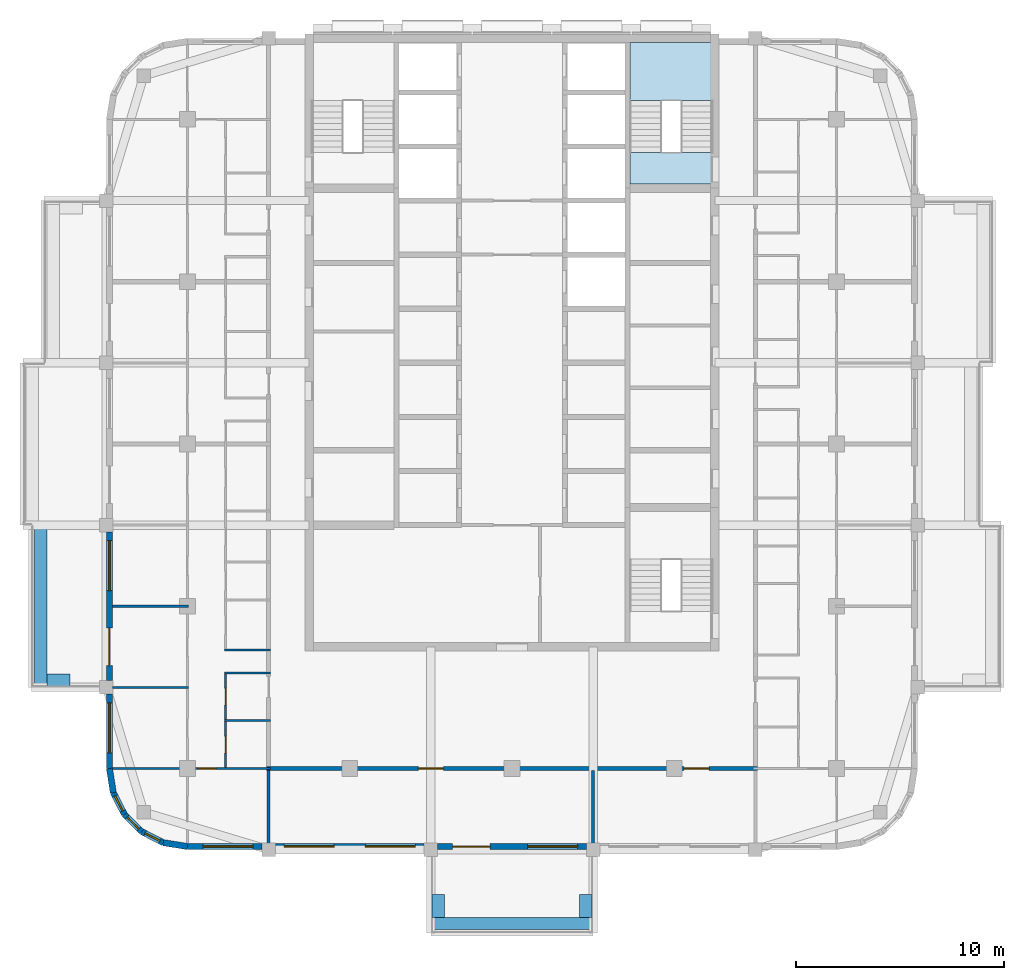
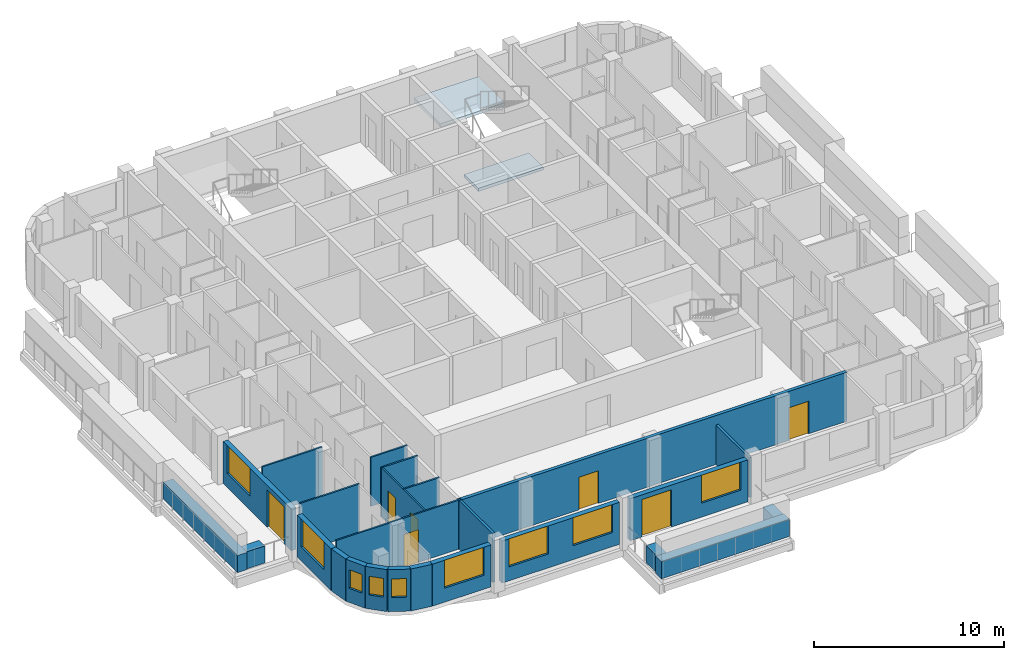
# One storey, part 2 of 13: 25 walls, 9 windows, 7 doors, 2 slabs, 16 openings, 1 element without a shape of its own.
"""IFC4 building model written with IfcOpenShell, lengths in metres."""

from ifc_helpers import new_model, si_unit, direction, frame, frame_2d, origin, place, context, subcontext, project, spatial, polyline, rectangle, outline, extrude, material, layer, layer_set, type_object, element, fill, aggregate, save


model = new_model("IFC4")

# Units and contexts
model_context = context("Model", 3, precision=1e-05, world=origin(), true_north=direction((0.0, 1.0)))
body_context = subcontext(model_context, "Body", "Model", "MODEL_VIEW")
ifc_project = project(units=[si_unit("LENGTHUNIT", "METRE"), si_unit("AREAUNIT", "SQUARE_METRE"), si_unit("VOLUMEUNIT", "CUBIC_METRE"), si_unit("PLANEANGLEUNIT", "RADIAN"), si_unit("MASSUNIT", "GRAM", prefix="KILO")], contexts=[model_context])

# Site, building, storey
site_placement = place(None, origin())
site = spatial("IfcSite", under=ifc_project, at=site_placement, CompositionType="ELEMENT")
building_placement = place(site_placement, origin())
building = spatial("IfcBuilding", under=site, at=building_placement, Name="Ludao Terraces", CompositionType="ELEMENT")
storey_placement = place(building_placement, frame((0.0, 0.0, 249.39990234375)))
storey = spatial("IfcBuildingStorey", under=building, at=storey_placement, Name="L68", CompositionType="ELEMENT", Elevation=249.39990234375)

# Stair, slabs
ifc_material_1 = material(Name="Concrete C40", Category="concrete")
stair_type = type_object("IfcStairType", Name="INT Stair", PredefinedType="HALF_TURN_STAIR", material=ifc_material_1)
stair_placement = place(storey_placement, origin())
stair = element("IfcStair", 1, at=stair_placement, inside=storey, type_object=stair_type, Name="EXIT STAIR 2", PredefinedType="HALF_TURN_STAIR")
ifc_layer_1 = layer(ifc_material_1, 0.199951171875)
ifc_layer_set_1 = layer_set([ifc_layer_1], Name="INT Stair landing 200")
slab_type = type_object("IfcSlabType", Name="INT Stair landing 200", PredefinedType="LANDING", material=ifc_layer_set_1)
slab_1_placement = place(storey_placement, frame((0.0, 0.0, 1.5)))
slab_1 = element("IfcSlab", 2, at=slab_1_placement, type_object=slab_type, Name="ST2 landing 1", PredefinedType="LANDING", context=body_context, shape_type="SweptSolid", body=[
    extrude(outline(polyline([(90.675048828125, 81.52001953125), (94.625, 81.52001953125), (94.625, 84.300048828125), (90.675048828125, 84.300048828125), (90.675048828125, 81.52001953125)])), origin(), (0.0, 0.0, 1.0), 0.2001953125),
])
slab_2_placement = place(storey_placement, frame((0.0, 0.0, -0.199951171875)))
slab_2 = element("IfcSlab", 3, at=slab_2_placement, type_object=slab_type, Name="ST2 landing 2", PredefinedType="LANDING", context=body_context, shape_type="SweptSolid", body=[
    extrude(outline(polyline([(90.675048828125, 77.5), (94.625, 77.5), (94.625, 79.0), (90.675048828125, 79.0), (90.675048828125, 77.5)])), origin(), (0.0, 0.0, 1.0), 0.199951171875),
])
aggregate(stair, [slab_1, slab_2])

# Walls
ifc_layer_2 = layer(ifc_material_1, 0.60009765625)
ifc_layer_set_2 = layer_set([ifc_layer_2], Name="ENV Planter trough 600")
wall_type_1 = type_object("IfcWallType", Name="ENV Planter trough 600", PredefinedType="USERDEFINED", material=ifc_layer_set_2)
wall_1_placement = place(storey_placement, frame((81.10009765625, 41.949951171875, 0.0), z_axis=(0.0, 0.0, 1.0), x_axis=(1.0, 0.0, 0.0)))
element("IfcWall", 4, at=wall_1_placement, inside=storey, type_object=wall_type_1, Name="PL-L68-S1", ObjectType="PLANTER", PredefinedType="USERDEFINED", context=body_context, shape_type="SweptSolid", body=[
    extrude(rectangle(XDim=7.7998046875, YDim=0.60009765625, at=frame_2d((3.89990234375, 0.0))), origin(), (0.0, 0.0, 1.0), 1.10009765625),
])
for number, where, z_axis, x_axis, name in (
    (5, (81.449951171875, 42.25, 0.0), (0.0, 0.0, 1.0), (0.0, 1.0, 0.0), "PL-L68-S1-SA"),
    (6, (88.550048828125, 42.25, 0.0), (0.0, 0.0, 1.0), (0.0, 1.0, 0.0), "PL-L68-S1-SB"),
):
    element("IfcWall", number, at=place(storey_placement, frame(where, z_axis=z_axis, x_axis=x_axis)), inside=storey, type_object=wall_type_1, Name=name, ObjectType="PLANTER", PredefinedType="USERDEFINED", context=body_context, shape_type="SweptSolid", body=[
        extrude(rectangle(XDim=1.10009765625, YDim=0.60009765625, at=frame_2d((0.550048828125, 0.0))), origin(), (0.0, 0.0, 1.0), 1.10009765625),
    ])
wall_2_placement = place(storey_placement, frame((62.35009765625, 53.300048828125, 0.0), z_axis=(0.0, 0.0, 1.0), x_axis=(0.0, 1.0, 0.0)))
element("IfcWall", 7, at=wall_2_placement, inside=storey, type_object=wall_type_1, Name="PL-L68-W1", ObjectType="PLANTER", PredefinedType="USERDEFINED", context=body_context, shape_type="SweptSolid", body=[
    extrude(rectangle(XDim=7.800048828125, YDim=0.60009765625, at=frame_2d((3.89990234375, 0.0))), origin(), (0.0, 0.0, 1.0), 1.10009765625),
])
wall_3_placement = place(storey_placement, frame((62.64990234375, 53.64990234375, 0.0), z_axis=(0.0, 0.0, 1.0), x_axis=(1.0, 0.0, 0.0)))
element("IfcWall", 8, at=wall_3_placement, inside=storey, type_object=wall_type_1, Name="PL-L68-W1-SA", ObjectType="PLANTER", PredefinedType="USERDEFINED", context=body_context, shape_type="SweptSolid", body=[
    extrude(rectangle(XDim=1.10009765625, YDim=0.60009765625, at=frame_2d((0.550048828125, 0.0))), origin(), (0.0, 0.0, 1.0), 1.10009765625),
])

# Wall, opening, window
ifc_material_2 = material(Name="Granite cladding", Category="masonry")
ifc_layer_3 = layer(ifc_material_2, 0.0400390625, Category="stone")
ifc_material_3 = material(Name="Mineral wool")
ifc_layer_4 = layer(ifc_material_3, 0.06005859375)
ifc_layer_5 = layer(ifc_material_1, 0.199951171875, Category="concrete")
ifc_layer_set_3 = layer_set([ifc_layer_3, ifc_layer_4, ifc_layer_5], Name="ENV Stone-clad wall 300")
wall_type_2 = type_object("IfcWallType", Name="ENV Stone-clad wall 300", PredefinedType="SOLIDWALL", material=ifc_layer_set_3)
wall_4_placement = place(storey_placement, frame((69.39990234375, 45.64990234375, 0.0), z_axis=(0.0, 0.0, 1.0), x_axis=(1.0, 0.0, 0.0)))
wall_4 = element("IfcWall", 9, at=wall_4_placement, inside=storey, type_object=wall_type_2, Name="EW-L68-S1", PredefinedType="SOLIDWALL", context=body_context, shape_type="SweptSolid", body=[
    extrude(rectangle(XDim=3.5751953125, YDim=0.300048828125, at=frame_2d((1.78759765625, 0.0))), origin(), (0.0, 0.0, 1.0), 2.7001953125),
])
opening_1_placement = place(wall_4_placement, frame((0.75, 0.0, 0.89990234375)))
opening_1 = element("IfcOpeningElement", 10, at=opening_1_placement, cuts=wall_4, Name="Opening W1", PredefinedType="OPENING", context=body_context, shape_type="SweptSolid", body=[
    extrude(rectangle(XDim=2.39990234375, YDim=1.800048828125, at=frame_2d((1.199951171875, 0.89990234375))), frame((0.0, 0.16015625, 0.0), z_axis=(0.0, -1.0, 0.0), x_axis=(1.0, 0.0, 0.0)), (0.0, 0.0, 1.0), 0.320068359375),
])
ifc_material_4 = material(Name="Clear glass in aluminium frame", Category="aluminium")
ifc_layer_6 = layer(ifc_material_4, 0.06005859375)
ifc_layer_set_4 = layer_set([ifc_layer_6], Name="ENV Window W1 2400x1800")
window_type_1 = type_object("IfcWindowType", Name="ENV Window W1 2400x1800", PartitioningType="DOUBLE_PANEL_VERTICAL", PredefinedType="WINDOW", material=ifc_layer_set_4)
window_1_placement = place(opening_1_placement, origin())
window_1 = element("IfcWindow", 11, at=window_1_placement, inside=storey, type_object=window_type_1, Name="W-L68-S1-1", OverallHeight=1.800048828125, OverallWidth=2.39990234375, PartitioningType="DOUBLE_PANEL_VERTICAL", PredefinedType="WINDOW", context=body_context, shape_type="SweptSolid", body=[
    extrude(rectangle(XDim=2.39990234375, YDim=1.800048828125, at=frame_2d((1.199951171875, 0.89990234375))), frame((0.0, 0.030029296875, 0.0), z_axis=(0.0, -1.0, 0.0), x_axis=(1.0, 0.0, 0.0)), (0.0, 0.0, 1.0), 0.06005859375),
])
fill(opening_1, window_1)

# Wall, openings, windows
wall_5_placement = place(storey_placement, frame((73.625, 45.64990234375, 0.0), z_axis=(0.0, 0.0, 1.0), x_axis=(1.0, 0.0, 0.0)))
wall_5 = element("IfcWall", 12, at=wall_5_placement, inside=storey, type_object=wall_type_2, Name="EW-L68-S2", PredefinedType="SOLIDWALL", context=body_context, shape_type="SweptSolid", body=[
    extrude(rectangle(XDim=7.14990234375, YDim=0.300048828125, at=frame_2d((3.574951171875, 0.0))), origin(), (0.0, 0.0, 1.0), 2.7001953125),
])
opening_2_placement = place(wall_5_placement, frame((0.425048828125, 0.0, 0.89990234375)))
opening_2 = element("IfcOpeningElement", 13, at=opening_2_placement, cuts=wall_5, Name="Opening W1", PredefinedType="OPENING", context=body_context, shape_type="SweptSolid", body=[
    extrude(rectangle(XDim=2.39990234375, YDim=1.800048828125, at=frame_2d((1.199951171875, 0.89990234375))), frame((0.0, 0.16015625, 0.0), z_axis=(0.0, -1.0, 0.0), x_axis=(1.0, 0.0, 0.0)), (0.0, 0.0, 1.0), 0.320068359375),
])
opening_3_placement = place(wall_5_placement, frame((4.324951171875, 0.0, 0.89990234375)))
opening_3 = element("IfcOpeningElement", 14, at=opening_3_placement, cuts=wall_5, Name="Opening W1", PredefinedType="OPENING", context=body_context, shape_type="SweptSolid", body=[
    extrude(rectangle(XDim=2.39990234375, YDim=1.800048828125, at=frame_2d((1.199951171875, 0.89990234375))), frame((0.0, 0.16015625, 0.0), z_axis=(0.0, -1.0, 0.0), x_axis=(1.0, 0.0, 0.0)), (0.0, 0.0, 1.0), 0.320068359375),
])
window_2_placement = place(opening_2_placement, origin())
window_2 = element("IfcWindow", 15, at=window_2_placement, inside=storey, type_object=window_type_1, Name="W-L68-S2-1", OverallHeight=1.800048828125, OverallWidth=2.39990234375, PartitioningType="DOUBLE_PANEL_VERTICAL", PredefinedType="WINDOW", context=body_context, shape_type="SweptSolid", body=[
    extrude(rectangle(XDim=2.39990234375, YDim=1.800048828125, at=frame_2d((1.199951171875, 0.89990234375))), frame((0.0, 0.030029296875, 0.0), z_axis=(0.0, -1.0, 0.0), x_axis=(1.0, 0.0, 0.0)), (0.0, 0.0, 1.0), 0.06005859375),
])
fill(opening_2, window_2)
window_3_placement = place(opening_3_placement, origin())
window_3 = element("IfcWindow", 16, at=window_3_placement, inside=storey, type_object=window_type_1, Name="W-L68-S2-2", OverallHeight=1.800048828125, OverallWidth=2.39990234375, PartitioningType="DOUBLE_PANEL_VERTICAL", PredefinedType="WINDOW", context=body_context, shape_type="SweptSolid", body=[
    extrude(rectangle(XDim=2.39990234375, YDim=1.800048828125, at=frame_2d((1.199951171875, 0.89990234375))), frame((0.0, 0.030029296875, 0.0), z_axis=(0.0, -1.0, 0.0), x_axis=(1.0, 0.0, 0.0)), (0.0, 0.0, 1.0), 0.06005859375),
])
fill(opening_3, window_3)

# Wall, openings, door, window
wall_6_placement = place(storey_placement, frame((81.425048828125, 45.64990234375, 0.0), z_axis=(0.0, 0.0, 1.0), x_axis=(1.0, 0.0, 0.0)))
wall_6 = element("IfcWall", 17, at=wall_6_placement, inside=storey, type_object=wall_type_2, Name="EW-L68-S3", PredefinedType="SOLIDWALL", context=body_context, shape_type="SweptSolid", body=[
    extrude(rectangle(XDim=7.14990234375, YDim=0.300048828125, at=frame_2d((3.574951171875, 0.0))), origin(), (0.0, 0.0, 1.0), 2.7001953125),
])
opening_4_placement = place(wall_6_placement, frame((0.72509765625, 0.0, 0.0)))
opening_4 = element("IfcOpeningElement", 18, at=opening_4_placement, cuts=wall_6, Name="Opening BD", PredefinedType="OPENING", context=body_context, shape_type="SweptSolid", body=[
    extrude(rectangle(XDim=1.800048828125, YDim=2.39990234375, at=frame_2d((0.89990234375, 1.199951171875))), frame((0.0, 0.16015625, 0.0), z_axis=(0.0, -1.0, 0.0), x_axis=(1.0, 0.0, 0.0)), (0.0, 0.0, 1.0), 0.320068359375),
])
opening_5_placement = place(wall_6_placement, frame((4.324951171875, 0.0, 0.89990234375)))
opening_5 = element("IfcOpeningElement", 19, at=opening_5_placement, cuts=wall_6, Name="Opening W1", PredefinedType="OPENING", context=body_context, shape_type="SweptSolid", body=[
    extrude(rectangle(XDim=2.39990234375, YDim=1.800048828125, at=frame_2d((1.199951171875, 0.89990234375))), frame((0.0, 0.16015625, 0.0), z_axis=(0.0, -1.0, 0.0), x_axis=(1.0, 0.0, 0.0)), (0.0, 0.0, 1.0), 0.320068359375),
])
ifc_material_5 = material(Name="Aluminium glazed door", Category="aluminium")
ifc_layer_7 = layer(ifc_material_5, 0.06005859375)
ifc_layer_set_5 = layer_set([ifc_layer_7], Name="ENV Balcony door BD 1800x2400")
door_type_1 = type_object("IfcDoorType", Name="ENV Balcony door BD 1800x2400", OperationType="DOUBLE_DOOR_SINGLE_SWING", PredefinedType="DOOR", material=ifc_layer_set_5)
door_1_placement = place(opening_4_placement, origin())
door_1 = element("IfcDoor", 20, at=door_1_placement, inside=storey, type_object=door_type_1, Name="BD-L68-S3-1", OperationType="DOUBLE_DOOR_SINGLE_SWING", OverallHeight=2.39990234375, OverallWidth=1.800048828125, PredefinedType="DOOR", context=body_context, shape_type="SweptSolid", body=[
    extrude(rectangle(XDim=1.800048828125, YDim=2.39990234375, at=frame_2d((0.89990234375, 1.199951171875))), frame((0.0, 0.02490234375, 0.0), z_axis=(0.0, -1.0, 0.0), x_axis=(1.0, 0.0, 0.0)), (0.0, 0.0, 1.0), 0.050048828125),
])
fill(opening_4, door_1)
window_4_placement = place(opening_5_placement, origin())
window_4 = element("IfcWindow", 21, at=window_4_placement, inside=storey, type_object=window_type_1, Name="W-L68-S3-2", OverallHeight=1.800048828125, OverallWidth=2.39990234375, PartitioningType="DOUBLE_PANEL_VERTICAL", PredefinedType="WINDOW", context=body_context, shape_type="SweptSolid", body=[
    extrude(rectangle(XDim=2.39990234375, YDim=1.800048828125, at=frame_2d((1.199951171875, 0.89990234375))), frame((0.0, 0.030029296875, 0.0), z_axis=(0.0, -1.0, 0.0), x_axis=(1.0, 0.0, 0.0)), (0.0, 0.0, 1.0), 0.06005859375),
])
fill(opening_5, window_4)

# Wall, opening, window
wall_7_placement = place(storey_placement, frame((65.64990234375, 49.39990234375, 0.0), z_axis=(0.0, 0.0, 1.0), x_axis=(0.0, 1.0, 0.0)))
wall_7 = element("IfcWall", 22, at=wall_7_placement, inside=storey, type_object=wall_type_2, Name="EW-L68-W1", PredefinedType="SOLIDWALL", context=body_context, shape_type="SweptSolid", body=[
    extrude(rectangle(XDim=3.5751953125, YDim=0.300048828125, at=frame_2d((1.78759765625, 0.0))), origin(), (0.0, 0.0, 1.0), 2.7001953125),
])
opening_6_placement = place(wall_7_placement, frame((0.75, 0.0, 0.89990234375)))
opening_6 = element("IfcOpeningElement", 23, at=opening_6_placement, cuts=wall_7, Name="Opening W1", PredefinedType="OPENING", context=body_context, shape_type="SweptSolid", body=[
    extrude(rectangle(XDim=2.39990234375, YDim=1.800048828125, at=frame_2d((1.199951171875, 0.89990234375))), frame((0.0, 0.16015625, 0.0), z_axis=(0.0, -1.0, 0.0), x_axis=(1.0, 0.0, 0.0)), (0.0, 0.0, 1.0), 0.320068359375),
])
window_5_placement = place(opening_6_placement, origin())
window_5 = element("IfcWindow", 24, at=window_5_placement, inside=storey, type_object=window_type_1, Name="W-L68-W1-1", OverallHeight=1.800048828125, OverallWidth=2.39990234375, PartitioningType="DOUBLE_PANEL_VERTICAL", PredefinedType="WINDOW", context=body_context, shape_type="SweptSolid", body=[
    extrude(rectangle(XDim=2.39990234375, YDim=1.800048828125, at=frame_2d((1.199951171875, 0.89990234375))), frame((0.0, 0.030029296875, 0.0), z_axis=(0.0, -1.0, 0.0), x_axis=(1.0, 0.0, 0.0)), (0.0, 0.0, 1.0), 0.06005859375),
])
fill(opening_6, window_5)

# Wall, openings, door, window
wall_8_placement = place(storey_placement, frame((65.64990234375, 53.625, 0.0), z_axis=(0.0, 0.0, 1.0), x_axis=(0.0, 1.0, 0.0)))
wall_8 = element("IfcWall", 25, at=wall_8_placement, inside=storey, type_object=wall_type_2, Name="EW-L68-W2", PredefinedType="SOLIDWALL", context=body_context, shape_type="SweptSolid", body=[
    extrude(rectangle(XDim=7.14990234375, YDim=0.300048828125, at=frame_2d((3.574951171875, 0.0))), origin(), (0.0, 0.0, 1.0), 2.7001953125),
])
opening_7_placement = place(wall_8_placement, frame((0.72509765625, 0.0, 0.0)))
opening_7 = element("IfcOpeningElement", 26, at=opening_7_placement, cuts=wall_8, Name="Opening BD", PredefinedType="OPENING", context=body_context, shape_type="SweptSolid", body=[
    extrude(rectangle(XDim=1.800048828125, YDim=2.39990234375, at=frame_2d((0.89990234375, 1.199951171875))), frame((0.0, 0.16015625, 0.0), z_axis=(0.0, -1.0, 0.0), x_axis=(1.0, 0.0, 0.0)), (0.0, 0.0, 1.0), 0.320068359375),
])
opening_8_placement = place(wall_8_placement, frame((4.324951171875, 0.0, 0.89990234375)))
opening_8 = element("IfcOpeningElement", 27, at=opening_8_placement, cuts=wall_8, Name="Opening W1", PredefinedType="OPENING", context=body_context, shape_type="SweptSolid", body=[
    extrude(rectangle(XDim=2.39990234375, YDim=1.800048828125, at=frame_2d((1.199951171875, 0.89990234375))), frame((0.0, 0.16015625, 0.0), z_axis=(0.0, -1.0, 0.0), x_axis=(1.0, 0.0, 0.0)), (0.0, 0.0, 1.0), 0.320068359375),
])
door_2_placement = place(opening_7_placement, origin())
door_2 = element("IfcDoor", 28, at=door_2_placement, inside=storey, type_object=door_type_1, Name="BD-L68-W2-1", OperationType="DOUBLE_DOOR_SINGLE_SWING", OverallHeight=2.39990234375, OverallWidth=1.800048828125, PredefinedType="DOOR", context=body_context, shape_type="SweptSolid", body=[
    extrude(rectangle(XDim=1.800048828125, YDim=2.39990234375, at=frame_2d((0.89990234375, 1.199951171875))), frame((0.0, 0.02490234375, 0.0), z_axis=(0.0, -1.0, 0.0), x_axis=(1.0, 0.0, 0.0)), (0.0, 0.0, 1.0), 0.050048828125),
])
fill(opening_7, door_2)
window_6_placement = place(opening_8_placement, origin())
window_6 = element("IfcWindow", 29, at=window_6_placement, inside=storey, type_object=window_type_1, Name="W-L68-W2-2", OverallHeight=1.800048828125, OverallWidth=2.39990234375, PartitioningType="DOUBLE_PANEL_VERTICAL", PredefinedType="WINDOW", context=body_context, shape_type="SweptSolid", body=[
    extrude(rectangle(XDim=2.39990234375, YDim=1.800048828125, at=frame_2d((1.199951171875, 0.89990234375))), frame((0.0, 0.030029296875, 0.0), z_axis=(0.0, -1.0, 0.0), x_axis=(1.0, 0.0, 0.0)), (0.0, 0.0, 1.0), 0.06005859375),
])
fill(opening_8, window_6)

# Wall
wall_9_placement = place(storey_placement, frame((65.64990234375, 49.39990234375, 0.0), z_axis=(0.0, 0.0, 1.0), x_axis=(0.156496880861, -0.987678452879, 0.0)))
element("IfcWall", 30, at=wall_9_placement, inside=storey, type_object=wall_type_2, Name="EW-L68-SW1", PredefinedType="SOLIDWALL", context=body_context, shape_type="SweptSolid", body=[
    extrude(rectangle(XDim=1.173095703125, YDim=0.300048828125, at=frame_2d((0.58642578125, 0.0))), origin(), (0.0, 0.0, 1.0), 2.7001953125),
])

# Wall, opening, window
wall_10_placement = place(storey_placement, frame((65.83349609375, 48.2412109375, 0.0), z_axis=(0.0, 0.0, 1.0), x_axis=(0.454025524128, -0.890988677504, 0.0)))
wall_10 = element("IfcWall", 31, at=wall_10_placement, inside=storey, type_object=wall_type_2, Name="EW-L68-SW2", PredefinedType="SOLIDWALL", context=body_context, shape_type="SweptSolid", body=[
    extrude(rectangle(XDim=1.17333984375, YDim=0.300048828125, at=frame_2d((0.586669921875, 0.0))), origin(), (0.0, 0.0, 1.0), 2.7001953125),
])
opening_9_placement = place(wall_10_placement, frame((0.1865234375, 0.0, 0.89990234375)))
opening_9 = element("IfcOpeningElement", 32, at=opening_9_placement, cuts=wall_10, Name="Opening W3", PredefinedType="OPENING", context=body_context, shape_type="SweptSolid", body=[
    extrude(rectangle(XDim=0.800048828125, YDim=1.199951171875, at=frame_2d((0.39990234375, 0.60009765625))), frame((0.0, 0.16015625, 0.0), z_axis=(0.0, -1.0, 0.0), x_axis=(1.0, 0.0, 0.0)), (0.0, 0.0, 1.0), 0.320068359375),
])
ifc_layer_8 = layer(ifc_material_4, 0.06005859375)
ifc_layer_set_6 = layer_set([ifc_layer_8], Name="ENV Window W3 800x1200")
window_type_2 = type_object("IfcWindowType", Name="ENV Window W3 800x1200", PartitioningType="SINGLE_PANEL", PredefinedType="WINDOW", material=ifc_layer_set_6)
window_7_placement = place(opening_9_placement, origin())
window_7 = element("IfcWindow", 33, at=window_7_placement, inside=storey, type_object=window_type_2, Name="W-L68-SW2", OverallHeight=1.199951171875, OverallWidth=0.800048828125, PartitioningType="SINGLE_PANEL", PredefinedType="WINDOW", context=body_context, shape_type="SweptSolid", body=[
    extrude(rectangle(XDim=0.800048828125, YDim=1.199951171875, at=frame_2d((0.39990234375, 0.60009765625))), frame((0.0, 0.030029296875, 0.0), z_axis=(0.0, -1.0, 0.0), x_axis=(1.0, 0.0, 0.0)), (0.0, 0.0, 1.0), 0.06005859375),
])
fill(opening_9, window_7)

wall_11_placement = place(storey_placement, frame((66.3662109375, 47.19580078125, 0.0), z_axis=(0.0, 0.0, 1.0), x_axis=(0.707106781187, -0.707106781187, 0.0)))
wall_11 = element("IfcWall", 34, at=wall_11_placement, inside=storey, type_object=wall_type_2, Name="EW-L68-SW3", PredefinedType="SOLIDWALL", context=body_context, shape_type="SweptSolid", body=[
    extrude(rectangle(XDim=1.173095703125, YDim=0.300048828125, at=frame_2d((0.58642578125, 0.0))), origin(), (0.0, 0.0, 1.0), 2.7001953125),
])
opening_10_placement = place(wall_11_placement, frame((0.1865234375, 0.0, 0.89990234375)))
opening_10 = element("IfcOpeningElement", 35, at=opening_10_placement, cuts=wall_11, Name="Opening W3", PredefinedType="OPENING", context=body_context, shape_type="SweptSolid", body=[
    extrude(rectangle(XDim=0.800048828125, YDim=1.199951171875, at=frame_2d((0.39990234375, 0.60009765625))), frame((0.0, 0.16015625, 0.0), z_axis=(0.0, -1.0, 0.0), x_axis=(1.0, 0.0, 0.0)), (0.0, 0.0, 1.0), 0.320068359375),
])
window_8_placement = place(opening_10_placement, origin())
window_8 = element("IfcWindow", 36, at=window_8_placement, inside=storey, type_object=window_type_2, Name="W-L68-SW3", OverallHeight=1.199951171875, OverallWidth=0.800048828125, PartitioningType="SINGLE_PANEL", PredefinedType="WINDOW", context=body_context, shape_type="SweptSolid", body=[
    extrude(rectangle(XDim=0.800048828125, YDim=1.199951171875, at=frame_2d((0.39990234375, 0.60009765625))), frame((0.0, 0.030029296875, 0.0), z_axis=(0.0, -1.0, 0.0), x_axis=(1.0, 0.0, 0.0)), (0.0, 0.0, 1.0), 0.06005859375),
])
fill(opening_10, window_8)

wall_12_placement = place(storey_placement, frame((67.19580078125, 46.3662109375, 0.0), z_axis=(0.0, 0.0, 1.0), x_axis=(0.890988677504, -0.454025524128, 0.0)))
wall_12 = element("IfcWall", 37, at=wall_12_placement, inside=storey, type_object=wall_type_2, Name="EW-L68-SW4", PredefinedType="SOLIDWALL", context=body_context, shape_type="SweptSolid", body=[
    extrude(rectangle(XDim=1.17333984375, YDim=0.300048828125, at=frame_2d((0.586669921875, 0.0))), origin(), (0.0, 0.0, 1.0), 2.7001953125),
])
opening_11_placement = place(wall_12_placement, frame((0.1865234375, 0.0, 0.89990234375)))
opening_11 = element("IfcOpeningElement", 38, at=opening_11_placement, cuts=wall_12, Name="Opening W3", PredefinedType="OPENING", context=body_context, shape_type="SweptSolid", body=[
    extrude(rectangle(XDim=0.800048828125, YDim=1.199951171875, at=frame_2d((0.39990234375, 0.60009765625))), frame((0.0, 0.16015625, 0.0), z_axis=(0.0, -1.0, 0.0), x_axis=(1.0, 0.0, 0.0)), (0.0, 0.0, 1.0), 0.320068359375),
])
window_9_placement = place(opening_11_placement, origin())
window_9 = element("IfcWindow", 39, at=window_9_placement, inside=storey, type_object=window_type_2, Name="W-L68-SW4", OverallHeight=1.199951171875, OverallWidth=0.800048828125, PartitioningType="SINGLE_PANEL", PredefinedType="WINDOW", context=body_context, shape_type="SweptSolid", body=[
    extrude(rectangle(XDim=0.800048828125, YDim=1.199951171875, at=frame_2d((0.39990234375, 0.60009765625))), frame((0.0, 0.030029296875, 0.0), z_axis=(0.0, -1.0, 0.0), x_axis=(1.0, 0.0, 0.0)), (0.0, 0.0, 1.0), 0.06005859375),
])
fill(opening_11, window_9)

# Wall
wall_13_placement = place(storey_placement, frame((68.2412109375, 45.83349609375, 0.0), z_axis=(0.0, 0.0, 1.0), x_axis=(0.987678452879, -0.156496880861, 0.0)))
element("IfcWall", 40, at=wall_13_placement, inside=storey, type_object=wall_type_2, Name="EW-L68-SW5", PredefinedType="SOLIDWALL", context=body_context, shape_type="SweptSolid", body=[
    extrude(rectangle(XDim=1.173095703125, YDim=0.300048828125, at=frame_2d((0.58642578125, 0.0))), origin(), (0.0, 0.0, 1.0), 2.7001953125),
])

# Wall, openings, doors
ifc_material_6 = material(Name="Autoclaved aerated concrete block B06 A3.5", Category="concrete")
ifc_layer_9 = layer(ifc_material_6, 0.199951171875)
ifc_layer_set_7 = layer_set([ifc_layer_9], Name="INT Entrance wall 200")
wall_type_3 = type_object("IfcWallType", Name="INT Entrance wall 200", PredefinedType="PARTITIONING", material=ifc_layer_set_7)
wall_14_placement = place(storey_placement, frame((73.2001953125, 49.39990234375, 0.0), z_axis=(0.0, 0.0, 1.0), x_axis=(1.0, 0.0, 0.0)))
wall_14 = element("IfcWall", 41, at=wall_14_placement, inside=storey, type_object=wall_type_3, Name="PW-L68-PW001", PredefinedType="PARTITIONING", context=body_context, shape_type="SweptSolid", body=[
    extrude(rectangle(XDim=23.599853515625, YDim=0.199951171875, at=frame_2d((11.7998046875, 0.0))), origin(), (0.0, 0.0, 1.0), 3.150146484375),
])
opening_12_placement = place(wall_14_placement, frame((7.2998046875, 0.0, 0.0)))
opening_12 = element("IfcOpeningElement", 42, at=opening_12_placement, cuts=wall_14, Name="Opening R24-004", PredefinedType="OPENING", context=body_context, shape_type="SweptSolid", body=[
    extrude(rectangle(XDim=1.199951171875, YDim=2.10009765625, at=frame_2d((0.60009765625, 1.050048828125))), frame((0.0, 0.10986328125, 0.0), z_axis=(0.0, -1.0, 0.0), x_axis=(1.0, 0.0, 0.0)), (0.0, 0.0, 1.0), 0.219970703125),
])
opening_13_placement = place(wall_14_placement, frame((20.074951171875, 0.0, 0.0)))
opening_13 = element("IfcOpeningElement", 43, at=opening_13_placement, cuts=wall_14, Name="Opening R24-005", PredefinedType="OPENING", context=body_context, shape_type="SweptSolid", body=[
    extrude(rectangle(XDim=1.199951171875, YDim=2.10009765625, at=frame_2d((0.60009765625, 1.050048828125))), frame((0.0, 0.10986328125, 0.0), z_axis=(0.0, -1.0, 0.0), x_axis=(1.0, 0.0, 0.0)), (0.0, 0.0, 1.0), 0.219970703125),
])
ifc_material_7 = material(Name="Timber door leaf", Category="wood")
door_type_2 = type_object("IfcDoorType", Name="INT Double door 1200", OperationType="DOUBLE_DOOR_SINGLE_SWING", PredefinedType="DOOR", material=ifc_material_7)
door_3_placement = place(opening_12_placement, origin())
door_3 = element("IfcDoor", 44, at=door_3_placement, inside=storey, type_object=door_type_2, Name="DOOR 004", OperationType="DOUBLE_DOOR_SINGLE_SWING", OverallHeight=2.10009765625, OverallWidth=1.199951171875, PredefinedType="DOOR", context=body_context, shape_type="SweptSolid", body=[
    extrude(rectangle(XDim=1.199951171875, YDim=2.10009765625, at=frame_2d((0.60009765625, 1.050048828125))), frame((0.0, 0.02490234375, 0.0), z_axis=(0.0, -1.0, 0.0), x_axis=(1.0, 0.0, 0.0)), (0.0, 0.0, 1.0), 0.050048828125),
])
fill(opening_12, door_3)
door_4_placement = place(opening_13_placement, origin())
door_4 = element("IfcDoor", 45, at=door_4_placement, inside=storey, type_object=door_type_2, Name="DOOR 005", OperationType="DOUBLE_DOOR_SINGLE_SWING", OverallHeight=2.10009765625, OverallWidth=1.199951171875, PredefinedType="DOOR", context=body_context, shape_type="SweptSolid", body=[
    extrude(rectangle(XDim=1.199951171875, YDim=2.10009765625, at=frame_2d((0.60009765625, 1.050048828125))), frame((0.0, 0.02490234375, 0.0), z_axis=(0.0, -1.0, 0.0), x_axis=(1.0, 0.0, 0.0)), (0.0, 0.0, 1.0), 0.050048828125),
])
fill(opening_13, door_4)

# Wall, opening, door
ifc_material_8 = material(Name="Gypsum plasterboard", Category="gypsum")
ifc_layer_10 = layer(ifc_material_8, 0.012451171875, Category="gypsum")
ifc_layer_11 = layer(ifc_material_3, 0.06005859375, Name="insulation")
ifc_material_9 = material(Name="Steel Q235", Category="steel")
ifc_layer_12 = layer(ifc_material_9, 0.014892578125, Name="stud")
ifc_layer_13 = layer(ifc_material_8, 0.012451171875, Category="gypsum")
ifc_layer_set_8 = layer_set([ifc_layer_10, ifc_layer_11, ifc_layer_12, ifc_layer_13], Name="INT Partition 100")
wall_type_4 = type_object("IfcWallType", Name="INT Partition 100", PredefinedType="PARTITIONING", material=ifc_layer_set_8)
wall_15_placement = place(storey_placement, frame((65.800048828125, 49.39990234375, 0.0), z_axis=(0.0, 0.0, 1.0), x_axis=(1.0, 0.0, 0.0)))
wall_15 = element("IfcWall", 46, at=wall_15_placement, inside=storey, type_object=wall_type_4, Name="PW-L68-PW000", PredefinedType="PARTITIONING", context=body_context, shape_type="SweptSolid", body=[
    extrude(rectangle(XDim=7.60009765625, YDim=0.10009765625, at=frame_2d((3.800048828125, 0.0))), origin(), (0.0, 0.0, 1.0), 3.150146484375),
])
opening_14_placement = place(wall_15_placement, frame((4.090087890625, 0.0, 0.0)))
opening_14 = element("IfcOpeningElement", 47, at=opening_14_placement, cuts=wall_15, Name="Opening R24-003", PredefinedType="OPENING", context=body_context, shape_type="SweptSolid", body=[
    extrude(rectangle(XDim=0.89990234375, YDim=2.10009765625, at=frame_2d((0.449951171875, 1.050048828125))), frame((0.0, 0.06005859375, 0.0), z_axis=(0.0, -1.0, 0.0), x_axis=(1.0, 0.0, 0.0)), (0.0, 0.0, 1.0), 0.1201171875),
])
door_type_3 = type_object("IfcDoorType", Name="INT Room door 900", OperationType="SINGLE_SWING_LEFT", PredefinedType="DOOR", material=ifc_material_7)
door_5_placement = place(opening_14_placement, origin())
door_5 = element("IfcDoor", 48, at=door_5_placement, inside=storey, type_object=door_type_3, Name="DOOR 003", OperationType="SINGLE_SWING_RIGHT", OverallHeight=2.10009765625, OverallWidth=0.89990234375, PredefinedType="DOOR", context=body_context, shape_type="SweptSolid", body=[
    extrude(rectangle(XDim=0.89990234375, YDim=2.10009765625, at=frame_2d((0.449951171875, 1.050048828125))), frame((0.0, 0.02490234375, 0.0), z_axis=(0.0, -1.0, 0.0), x_axis=(1.0, 0.0, 0.0)), (0.0, 0.0, 1.0), 0.050048828125),
])
fill(opening_14, door_5)

# Walls
wall_16_placement = place(storey_placement, frame((71.18017578125, 51.699951171875, 0.0), z_axis=(0.0, 0.0, 1.0), x_axis=(1.0, 0.0, 0.0)))
element("IfcWall", 49, at=wall_16_placement, inside=storey, type_object=wall_type_4, Name="PW-L68-PW004", PredefinedType="PARTITIONING", context=body_context, shape_type="SweptSolid", body=[
    extrude(rectangle(XDim=2.219970703125, YDim=0.10009765625, at=frame_2d((1.10986328125, 0.0))), origin(), (0.0, 0.0, 1.0), 3.150146484375),
])
wall_17_placement = place(storey_placement, frame((65.800048828125, 53.300048828125, 0.0), z_axis=(0.0, 0.0, 1.0), x_axis=(1.0, 0.0, 0.0)))
element("IfcWall", 50, at=wall_17_placement, inside=storey, type_object=wall_type_4, Name="PW-L68-PW005", PredefinedType="PARTITIONING", context=body_context, shape_type="SweptSolid", body=[
    extrude(rectangle(XDim=3.650146484375, YDim=0.10009765625, at=frame_2d((1.8251953125, 0.0))), origin(), (0.0, 0.0, 1.0), 3.150146484375),
])
for number, where, z_axis, x_axis, name in (
    (51, (71.18017578125, 54.0, 0.0), (0.0, 0.0, 1.0), (1.0, 0.0, 0.0), "PW-L68-PW007"),
    (52, (71.18017578125, 55.10009765625, 0.0), (0.0, 0.0, 1.0), (1.0, 0.0, 0.0), "PW-L68-PW009"),
):
    element("IfcWall", number, at=place(storey_placement, frame(where, z_axis=z_axis, x_axis=x_axis)), inside=storey, type_object=wall_type_4, Name=name, PredefinedType="PARTITIONING", context=body_context, shape_type="SweptSolid", body=[
        extrude(rectangle(XDim=2.219970703125, YDim=0.10009765625, at=frame_2d((1.10986328125, 0.0))), origin(), (0.0, 0.0, 1.0), 3.150146484375),
    ])
wall_18_placement = place(storey_placement, frame((65.800048828125, 57.199951171875, 0.0), z_axis=(0.0, 0.0, 1.0), x_axis=(1.0, 0.0, 0.0)))
element("IfcWall", 53, at=wall_18_placement, inside=storey, type_object=wall_type_4, Name="PW-L68-PW010", PredefinedType="PARTITIONING", context=body_context, shape_type="SweptSolid", body=[
    extrude(rectangle(XDim=3.650146484375, YDim=0.10009765625, at=frame_2d((1.8251953125, 0.0))), origin(), (0.0, 0.0, 1.0), 3.150146484375),
])

# Wall, openings, doors
wall_19_placement = place(storey_placement, frame((71.22998046875, 49.4501953125, 0.0), z_axis=(0.0, 0.0, 1.0), x_axis=(0.0, 1.0, 0.0)))
wall_19 = element("IfcWall", 54, at=wall_19_placement, inside=storey, type_object=wall_type_4, Name="PW-L68-PW047", PredefinedType="PARTITIONING", context=body_context, shape_type="SweptSolid", body=[
    extrude(rectangle(XDim=4.5, YDim=0.10009765625, at=frame_2d((2.25, 0.0))), origin(), (0.0, 0.0, 1.0), 3.150146484375),
])
opening_15_placement = place(wall_19_placement, frame((0.699951171875, 0.0, 0.0)))
opening_15 = element("IfcOpeningElement", 55, at=opening_15_placement, cuts=wall_19, Name="Opening R24-008", PredefinedType="OPENING", context=body_context, shape_type="SweptSolid", body=[
    extrude(rectangle(XDim=0.800048828125, YDim=2.10009765625, at=frame_2d((0.39990234375, 1.050048828125))), frame((0.0, 0.06005859375, 0.0), z_axis=(0.0, -1.0, 0.0), x_axis=(1.0, 0.0, 0.0)), (0.0, 0.0, 1.0), 0.1201171875),
])
opening_16_placement = place(wall_19_placement, frame((3.0, 0.0, 0.0)))
opening_16 = element("IfcOpeningElement", 56, at=opening_16_placement, cuts=wall_19, Name="Opening R24-011", PredefinedType="OPENING", context=body_context, shape_type="SweptSolid", body=[
    extrude(rectangle(XDim=0.800048828125, YDim=2.10009765625, at=frame_2d((0.39990234375, 1.050048828125))), frame((0.0, 0.06005859375, 0.0), z_axis=(0.0, -1.0, 0.0), x_axis=(1.0, 0.0, 0.0)), (0.0, 0.0, 1.0), 0.1201171875),
])
door_type_4 = type_object("IfcDoorType", Name="INT Store door 800", OperationType="SINGLE_SWING_LEFT", PredefinedType="DOOR", material=ifc_material_7)
door_6_placement = place(opening_15_placement, origin())
door_6 = element("IfcDoor", 57, at=door_6_placement, inside=storey, type_object=door_type_4, Name="DOOR 008", OperationType="SINGLE_SWING_RIGHT", OverallHeight=2.10009765625, OverallWidth=0.800048828125, PredefinedType="DOOR", context=body_context, shape_type="SweptSolid", body=[
    extrude(rectangle(XDim=0.800048828125, YDim=2.10009765625, at=frame_2d((0.39990234375, 1.050048828125))), frame((0.0, 0.02490234375, 0.0), z_axis=(0.0, -1.0, 0.0), x_axis=(1.0, 0.0, 0.0)), (0.0, 0.0, 1.0), 0.050048828125),
])
fill(opening_15, door_6)
door_7_placement = place(opening_16_placement, origin())
door_7 = element("IfcDoor", 58, at=door_7_placement, inside=storey, type_object=door_type_4, Name="DOOR 011", OperationType="SINGLE_SWING_RIGHT", OverallHeight=2.10009765625, OverallWidth=0.800048828125, PredefinedType="DOOR", context=body_context, shape_type="SweptSolid", body=[
    extrude(rectangle(XDim=0.800048828125, YDim=2.10009765625, at=frame_2d((0.39990234375, 1.050048828125))), frame((0.0, 0.02490234375, 0.0), z_axis=(0.0, -1.0, 0.0), x_axis=(1.0, 0.0, 0.0)), (0.0, 0.0, 1.0), 0.050048828125),
])
fill(opening_16, door_7)

# Walls
ifc_layer_14 = layer(ifc_material_6, 0.14990234375)
ifc_layer_set_9 = layer_set([ifc_layer_14], Name="INT Party wall 150")
wall_type_5 = type_object("IfcWallType", Name="INT Party wall 150", PredefinedType="PARTITIONING", material=ifc_layer_set_9)
wall_20_placement = place(storey_placement, frame((73.300048828125, 45.800048828125, 0.0), z_axis=(0.0, 0.0, 1.0), x_axis=(0.0, 1.0, 0.0)))
element("IfcWall", 59, at=wall_20_placement, inside=storey, type_object=wall_type_5, Name="PW-L68-PW051", PredefinedType="PARTITIONING", context=body_context, shape_type="SweptSolid", body=[
    extrude(rectangle(XDim=3.5, YDim=0.14990234375, at=frame_2d((1.75, 0.0))), origin(), (0.0, 0.0, 1.0), 3.150146484375),
])
wall_21_placement = place(storey_placement, frame((88.89990234375, 45.800048828125, 0.0), z_axis=(0.0, 0.0, 1.0), x_axis=(0.0, 1.0, 0.0)))
element("IfcWall", 60, at=wall_21_placement, inside=storey, type_object=wall_type_5, Name="PW-L68-PW054", PredefinedType="PARTITIONING", context=body_context, shape_type="SweptSolid", body=[
    extrude(rectangle(XDim=3.5, YDim=0.14990234375, at=frame_2d((1.75, 0.0))), origin(), (0.0, 0.0, 1.0), 2.550048828125),
])

save(model, "model.ifc")
